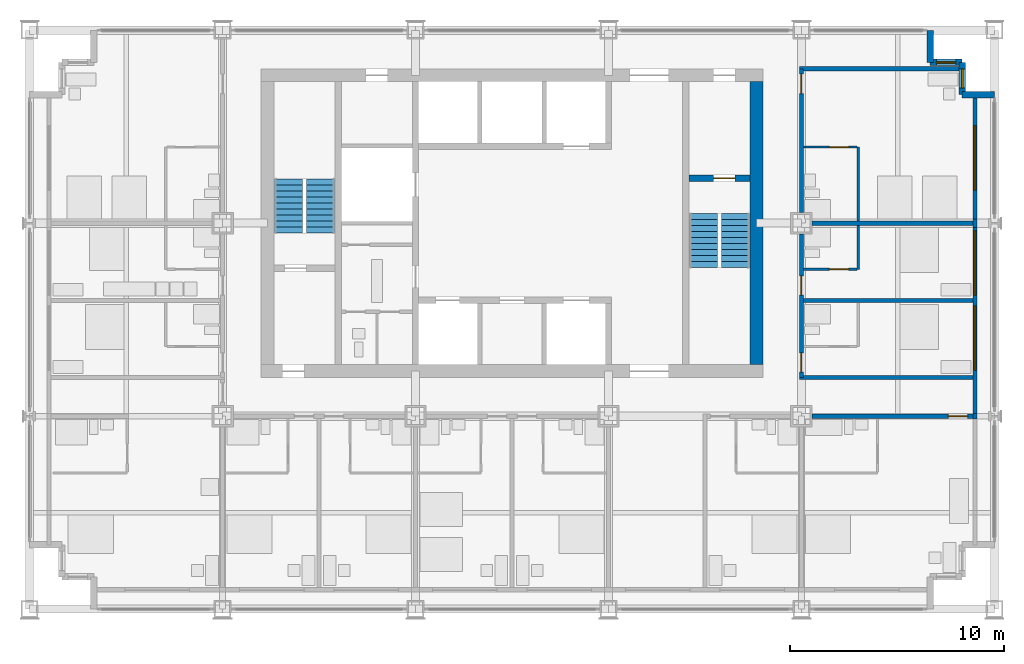
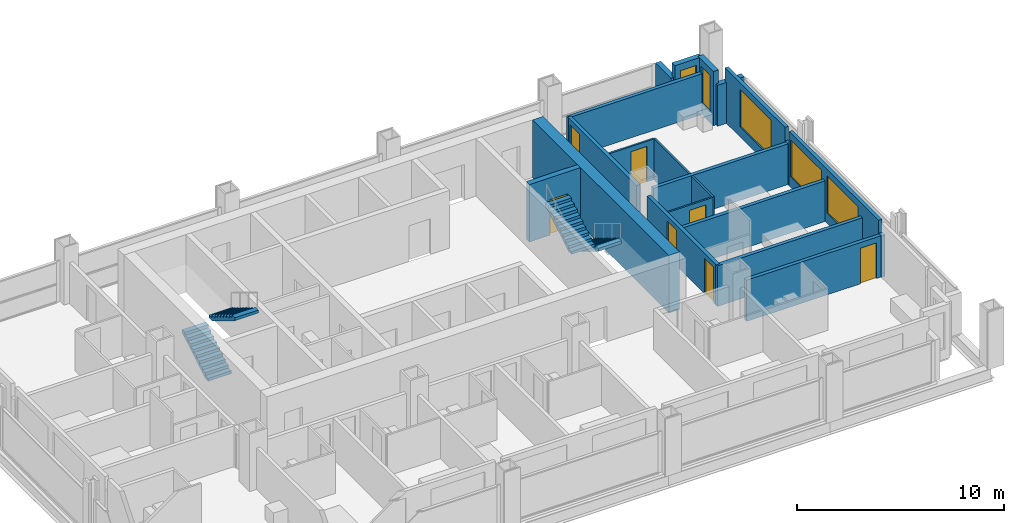
# One storey, part 10 of 13: 21 walls, 7 doors, 5 windows, 4 stair flights, 12 openings, 2 elements without a shape of their own.
"""IFC4 building model written with IfcOpenShell, lengths in metres."""

import ifcopenshell
import ifcopenshell.guid

model = None  # the IFC model being written
_history = None  # IfcOwnerHistory: only IFC2X3 demands one
_inside = {}  # id of a spatial element -> (the spatial element, [elements in it])
_under = {}  # id of a project, library or spatial element -> (it, [spatial elements below it])
_declared = {}  # id of a project -> (the project, [libraries it declares])
_typed = {}  # id of a type object -> (the type object, [elements of that type])
_made_of = {}  # id of a material, layer set ... -> (it, [elements and type objects made of it])


def new_model(schema):
    """Start an empty IFC model of exactly this schema.

    Asked for "IFC4X3", IfcOpenShell would pick the latest addendum, in which some entities
    have other attributes; the version numbers below select the first issue.
    IFC2X3 requires an IfcOwnerHistory on every rooted entity: one is made here for all.
    """
    global model, _history
    if schema == "IFC4X3":
        model = ifcopenshell.file(schema_version=(4, 3, 0, 0))
    else:
        model = ifcopenshell.file(schema=schema)
    _inside.clear()
    _under.clear()
    _declared.clear()
    _typed.clear()
    _made_of.clear()
    _history = None
    if model.schema == "IFC2X3":
        org = make("IfcOrganization", Name="unknown")
        user = make(
            "IfcPersonAndOrganization",
            ThePerson=make("IfcPerson", FamilyName="unknown"),
            TheOrganization=org,
        )
        app = make(
            "IfcApplication",
            ApplicationDeveloper=org,
            Version="unknown",
            ApplicationFullName="unknown",
            ApplicationIdentifier="unknown",
        )
        _history = make(
            "IfcOwnerHistory",
            OwningUser=user,
            OwningApplication=app,
            ChangeAction="ADDED",
            CreationDate=0,
        )
    return model


def make(cls, **values):
    """One entity of the class cls with the attributes given. An attribute that is None is left unset."""
    return model.create_entity(
        cls, **{name: value for name, value in values.items() if value is not None}
    )


def rooted(cls, **values):
    """An entity with a GlobalId (a new one), such as an element, a storey or a relation."""
    return make(cls, GlobalId=ifcopenshell.guid.new(), OwnerHistory=_history, **values)


def si_unit(unit_type, name, prefix=None):
    """IfcSIUnit, for example si_unit("LENGTHUNIT", "METRE", prefix="MILLI")."""
    return make("IfcSIUnit", UnitType=unit_type, Prefix=prefix, Name=name)


def assignment(units):
    """IfcUnitAssignment: the units of a project."""
    return None if units is None else make("IfcUnitAssignment", Units=units)


def point(xyz):
    """IfcCartesianPoint."""
    return None if xyz is None else make("IfcCartesianPoint", Coordinates=xyz)


def direction(xyz):
    """IfcDirection."""
    return None if xyz is None else make("IfcDirection", DirectionRatios=xyz)


def frame(location, z_axis=None, x_axis=None):
    """IfcAxis2Placement3D, a coordinate frame: its origin and axes. An axis left out is left unset."""
    return make(
        "IfcAxis2Placement3D",
        Location=point(location),
        Axis=direction(z_axis),
        RefDirection=direction(x_axis),
    )


def frame_2d(location, x_axis=None):
    """IfcAxis2Placement2D, a coordinate frame in the plane: its origin and x axis."""
    return make(
        "IfcAxis2Placement2D", Location=point(location), RefDirection=direction(x_axis)
    )


def origin():
    """The frame at (0, 0, 0) with its axes left unset."""
    return frame((0.0, 0.0, 0.0))


def place(relative_to, where):
    """IfcLocalPlacement: puts the frame where relative to a parent placement (None: the world)."""
    return make(
        "IfcLocalPlacement", PlacementRelTo=relative_to, RelativePlacement=where
    )


def context(
    kind, dimensions, precision=None, world=None, true_north=None, identifier=None
):
    """IfcGeometricRepresentationContext, for example the 3D "Model" context."""
    return make(
        "IfcGeometricRepresentationContext",
        ContextIdentifier=identifier,
        ContextType=kind,
        CoordinateSpaceDimension=dimensions,
        Precision=precision,
        WorldCoordinateSystem=world,
        TrueNorth=true_north,
    )


def subcontext(parent, identifier, kind, view, scale=None):
    """IfcGeometricRepresentationSubContext, for example "Body" below "Model"."""
    return make(
        "IfcGeometricRepresentationSubContext",
        ContextIdentifier=identifier,
        ContextType=kind,
        ParentContext=parent,
        TargetScale=scale,
        TargetView=view,
    )


def project(units=None, contexts=None):
    """IfcProject with its units and contexts."""
    return rooted(
        "IfcProject",
        Name="project",
        RepresentationContexts=contexts,
        UnitsInContext=assignment(units),
    )


def spatial(cls, under=None, at=None, **own):
    """A site, building, storey or space (cls), placed at a placement, below another one or the project."""
    s = rooted(cls, ObjectPlacement=at, **own)
    if under is not None:
        _under.setdefault(under.id(), (under, []))[1].append(s)
    return s


def polyline(points):
    """IfcPolyline through the points."""
    return make("IfcPolyline", Points=[point(p) for p in points])


def profile(cls, at=None, kind="AREA", **sizes):
    """A parametric profile (cls). Its sizes go by their IFC names, for example OverallWidth=200.0."""
    return make(cls, ProfileType=kind, Position=at, **sizes)


def rectangle(**sizes):
    """IfcRectangleProfileDef."""
    return profile("IfcRectangleProfileDef", **sizes)


def outline(outer, holes=None, kind="AREA"):
    """IfcArbitraryClosedProfileDef: a profile drawn as a closed curve; with holes, ...WithVoids."""
    if holes is None:
        return make("IfcArbitraryClosedProfileDef", ProfileType=kind, OuterCurve=outer)
    return make(
        "IfcArbitraryProfileDefWithVoids",
        ProfileType=kind,
        OuterCurve=outer,
        InnerCurves=holes,
    )


def extrude(swept, where, along, depth):
    """IfcExtrudedAreaSolid: the profile swept, set in the frame where, extruded along a direction by depth."""
    return make(
        "IfcExtrudedAreaSolid",
        SweptArea=swept,
        Position=where,
        ExtrudedDirection=direction(along),
        Depth=depth,
    )


def shape(context_of_items, identifier, shape_type, items):
    """IfcShapeRepresentation: the items that make up one representation, for example the "Body"."""
    return make(
        "IfcShapeRepresentation",
        ContextOfItems=context_of_items,
        RepresentationIdentifier=identifier,
        RepresentationType=shape_type,
        Items=items,
    )


def material(Name=None, Category=None):
    """IfcMaterial."""
    return make("IfcMaterial", Name=Name, Category=Category)


def layer(
    of_material, thickness, ventilated=None, Name=None, Category=None, Priority=None
):
    """IfcMaterialLayer: one layer of a wall or slab, of a material (None: an air gap)."""
    return make(
        "IfcMaterialLayer",
        Material=of_material,
        LayerThickness=thickness,
        IsVentilated=ventilated,
        Name=Name,
        Category=Category,
        Priority=Priority,
    )


def layer_set(layers, Name=None):
    """IfcMaterialLayerSet."""
    return make("IfcMaterialLayerSet", MaterialLayers=layers, LayerSetName=Name)


def made_of(thing, what):
    """Note that an element or type object is made of a material, layer set ...; save() writes the relation."""
    if what is not None:
        _made_of.setdefault(what.id(), (what, []))[1].append(thing)
    return thing


def type_object(cls, material=None, **own):
    """A type object (cls), such as IfcWallType, which elements share."""
    return made_of(rooted(cls, **own), material)


def element(
    cls,
    number,
    at=None,
    inside=None,
    cuts=None,
    type_object=None,
    material=None,
    context=None,
    identifier="Body",
    shape_type=None,
    held_by="IfcProductDefinitionShape",
    body=None,
    shapes=None,
    **own,
):
    """One element of the class cls, such as IfcWall. Its Tag is "e" and its number.

    at: its placement. inside: the storey or other place that contains it. cuts: it is an
    opening in that element (IfcRelVoidsElement). A single representation is given by context,
    identifier, shape_type and body (its items); several are given by shapes. held_by: the class
    of the entity that holds the representations. save() writes the other relations.
    """
    e = rooted(cls, Tag="e%d" % number, ObjectPlacement=at, **own)
    if body is not None:
        shapes = [shape(context, identifier, shape_type, body)]
    if shapes is not None:
        e.Representation = make(held_by, Representations=shapes)
    if inside is not None:
        _inside.setdefault(inside.id(), (inside, []))[1].append(e)
    if cuts is not None:
        rooted(
            "IfcRelVoidsElement", RelatingBuildingElement=cuts, RelatedOpeningElement=e
        )
    if type_object is not None:
        _typed.setdefault(type_object.id(), (type_object, []))[1].append(e)
    return made_of(e, material)


def fill(opening, filler):
    """IfcRelFillsElement: the door or window that sits in an opening."""
    return rooted(
        "IfcRelFillsElement",
        RelatingOpeningElement=opening,
        RelatedBuildingElement=filler,
    )


def aggregate(whole, parts):
    """IfcRelAggregates: a whole, such as a stair, and the parts it consists of."""
    return rooted("IfcRelAggregates", RelatingObject=whole, RelatedObjects=parts)


def save(model, path):
    """Write the relations noted so far, then the file.

    IfcRelAggregates (storeys below a building ...), IfcRelContainedInSpatialStructure (elements
    in a storey), IfcRelDefinesByType, IfcRelAssociatesMaterial and IfcRelDeclares: one each for
    every whole, place, type object, material and project.
    """
    for whole, parts in _under.values():
        aggregate(whole, parts)
    for where, things in _inside.values():
        rooted(
            "IfcRelContainedInSpatialStructure",
            RelatedElements=things,
            RelatingStructure=where,
        )
    for kind, things in _typed.values():
        rooted("IfcRelDefinesByType", RelatedObjects=things, RelatingType=kind)
    for what, things in _made_of.values():
        rooted("IfcRelAssociatesMaterial", RelatedObjects=things, RelatingMaterial=what)
    for by, libraries in _declared.values():
        rooted("IfcRelDeclares", RelatingContext=by, RelatedDefinitions=libraries)
    model.write(path)


model = new_model("IFC4")

# Units and contexts
model_context = context("Model", 3, precision=1e-05, world=origin(), true_north=direction((0.0, 1.0)))
body_context = subcontext(model_context, "Body", "Model", "MODEL_VIEW")
ifc_project = project(units=[si_unit("LENGTHUNIT", "METRE"), si_unit("AREAUNIT", "SQUARE_METRE"), si_unit("VOLUMEUNIT", "CUBIC_METRE"), si_unit("PLANEANGLEUNIT", "RADIAN"), si_unit("MASSUNIT", "GRAM", prefix="KILO")], contexts=[model_context])

# Site, building, storey
site_placement = place(None, origin())
site = spatial("IfcSite", under=ifc_project, at=site_placement, CompositionType="ELEMENT")
building_placement = place(site_placement, origin())
building = spatial("IfcBuilding", under=site, at=building_placement, Name="Loomwork Tower", CompositionType="ELEMENT")
storey_placement = place(building_placement, frame((0.0, 0.0, 163.800048828125)))
storey = spatial("IfcBuildingStorey", under=building, at=storey_placement, Name="L44", CompositionType="ELEMENT", Elevation=163.800048828125)

# Wall, opening, door
ifc_material_1 = material(Name="Concrete 14000 psi (97 MPa)", Category="concrete")
ifc_layer_1 = layer(ifc_material_1, 0.300048828125)
ifc_layer_set_1 = layer_set([ifc_layer_1], Name="Core shear wall 300")
wall_type_1 = type_object("IfcWallType", Name="Core shear wall 300", PredefinedType="SHEAR", material=ifc_layer_set_1)
wall_1_placement = place(storey_placement, frame((30.75, 20.10009765625, 0.0), z_axis=(0.0, 0.0, 1.0), x_axis=(1.0, 0.0, 0.0)))
wall_1 = element("IfcWall", 1, at=wall_1_placement, inside=storey, type_object=wall_type_1, Name="Stair B north wall L44", PredefinedType="SHEAR", context=body_context, shape_type="SweptSolid", body=[
    extrude(rectangle(XDim=2.85009765625, YDim=0.300048828125, at=frame_2d((1.425048828125, 0.0))), origin(), (0.0, 0.0, 1.0), 3.39990234375),
])
opening_1_placement = place(wall_1_placement, frame((1.14990234375, 0.0, 0.0)))
opening_1 = element("IfcOpeningElement", 2, at=opening_1_placement, cuts=wall_1, Name="Opening D4", PredefinedType="OPENING", context=body_context, shape_type="SweptSolid", body=[
    extrude(rectangle(XDim=1.0, YDim=2.10009765625, at=frame_2d((0.5, 1.050048828125))), frame((0.0, 0.159912109375, 0.0), z_axis=(0.0, -1.0, 0.0), x_axis=(1.0, 0.0, 0.0)), (0.0, 0.0, 1.0), 0.320068359375),
])
ifc_material_2 = material(Name="Hollow metal door and frame")
door_type_1 = type_object("IfcDoorType", Name="Stair door 1000", OperationType="SINGLE_SWING_RIGHT", PredefinedType="DOOR", material=ifc_material_2)
door_1_placement = place(opening_1_placement, frame((1.0, 0.0, 0.0), z_axis=(0.0, 0.0, 1.0), x_axis=(-1.0, 0.0, 0.0)))
door_1 = element("IfcDoor", 3, at=door_1_placement, inside=storey, type_object=door_type_1, Name="Stair B door", OperationType="SINGLE_SWING_LEFT", OverallHeight=2.10009765625, OverallWidth=1.0, PredefinedType="DOOR", context=body_context, shape_type="SweptSolid", body=[
    extrude(rectangle(XDim=1.0, YDim=2.10009765625, at=frame_2d((0.5, 1.050048828125))), frame((0.0, 0.02490234375, 0.0), z_axis=(0.0, -1.0, 0.0), x_axis=(1.0, 0.0, 0.0)), (0.0, 0.0, 1.0), 0.050048828125),
])
fill(opening_1, door_1)

# Wall
ifc_material_3 = material(Name="Concrete 14000 psi (97 MPa)", Category="concrete")
ifc_layer_2 = layer(ifc_material_3, 0.60009765625)
ifc_layer_set_2 = layer_set([ifc_layer_2], Name="Core shear wall 600")
wall_type_2 = type_object("IfcWallType", Name="Core shear wall 600", PredefinedType="SHEAR", material=ifc_layer_set_2)
wall_2_placement = place(storey_placement, frame((33.89990234375, 11.39990234375, 0.0), z_axis=(0.0, 0.0, 1.0), x_axis=(0.0, 1.0, 0.0)))
element("IfcWall", 4, at=wall_2_placement, inside=storey, type_object=wall_type_2, Name="Core wall east L44", PredefinedType="SHEAR", context=body_context, shape_type="SweptSolid", body=[
    extrude(rectangle(XDim=13.2001953125, YDim=0.60009765625, at=frame_2d((6.60009765625, 0.0))), origin(), (0.0, 0.0, 1.0), 3.39990234375),
])

# Wall, opening, door
ifc_material_4 = material(Name="Gypsum board on steel studs, one-hour", Category="steel")
ifc_layer_3 = layer(ifc_material_4, 0.199951171875)
ifc_layer_set_3 = layer_set([ifc_layer_3], Name="Corridor wall 200")
wall_type_3 = type_object("IfcWallType", Name="Corridor wall 200", PredefinedType="PARTITIONING", material=ifc_layer_set_3)
wall_3_placement = place(storey_placement, frame((36.5, 9.0, 0.0), z_axis=(0.0, 0.0, 1.0), x_axis=(1.0, 0.0, 0.0)))
wall_3 = element("IfcWall", 5, at=wall_3_placement, inside=storey, type_object=wall_type_3, Name="South corridor wall 5", PredefinedType="PARTITIONING", context=body_context, shape_type="SweptSolid", body=[
    extrude(rectangle(XDim=7.5, YDim=0.199951171875, at=frame_2d((3.75, 0.0))), origin(), (0.0, 0.0, 1.0), 2.43798828125),
])
opening_2_placement = place(wall_3_placement, frame((6.35009765625, 0.0, 0.0)))
opening_2 = element("IfcOpeningElement", 6, at=opening_2_placement, cuts=wall_3, Name="Opening D1", PredefinedType="OPENING", context=body_context, shape_type="SweptSolid", body=[
    extrude(rectangle(XDim=0.89990234375, YDim=2.10009765625, at=frame_2d((0.449951171875, 1.050048828125))), frame((0.0, 0.10986328125, 0.0), z_axis=(0.0, -1.0, 0.0), x_axis=(1.0, 0.0, 0.0)), (0.0, 0.0, 1.0), 0.219970703125),
])
ifc_material_5 = material(Name="Hollow metal door and frame")
door_type_2 = type_object("IfcDoorType", Name="Guest room entry door 900", OperationType="SINGLE_SWING_LEFT", PredefinedType="DOOR", material=ifc_material_5)
door_2_placement = place(opening_2_placement, frame((0.89990234375, 0.0, 0.0), z_axis=(0.0, 0.0, 1.0), x_axis=(-1.0, 0.0, 0.0)))
door_2 = element("IfcDoor", 7, at=door_2_placement, inside=storey, type_object=door_type_2, Name="Guest room entry door L44 7", OperationType="SINGLE_SWING_LEFT", OverallHeight=2.10009765625, OverallWidth=0.89990234375, PredefinedType="DOOR", context=body_context, shape_type="SweptSolid", body=[
    extrude(rectangle(XDim=0.89990234375, YDim=2.10009765625, at=frame_2d((0.449951171875, 1.050048828125))), frame((0.0, 0.02490234375, 0.0), z_axis=(0.0, -1.0, 0.0), x_axis=(1.0, 0.0, 0.0)), (0.0, 0.0, 1.0), 0.050048828125),
])
fill(opening_2, door_2)

# Wall, openings, doors
wall_4_placement = place(storey_placement, frame((36.0, 10.800048828125, 0.0), z_axis=(0.0, 0.0, 1.0), x_axis=(0.0, 1.0, 0.0)))
wall_4 = element("IfcWall", 8, at=wall_4_placement, inside=storey, type_object=wall_type_3, Name="East corridor wall 1", PredefinedType="PARTITIONING", context=body_context, shape_type="SweptSolid", body=[
    extrude(rectangle(XDim=6.699951171875, YDim=0.199951171875, at=frame_2d((3.35009765625, 0.0))), origin(), (0.0, 0.0, 1.0), 2.405029296875),
])
opening_3_placement = place(wall_4_placement, frame((0.25, 0.0, 0.0)))
opening_3 = element("IfcOpeningElement", 9, at=opening_3_placement, cuts=wall_4, Name="Opening D1", PredefinedType="OPENING", context=body_context, shape_type="SweptSolid", body=[
    extrude(rectangle(XDim=0.89990234375, YDim=2.10009765625, at=frame_2d((0.449951171875, 1.050048828125))), frame((0.0, 0.10986328125, 0.0), z_axis=(0.0, -1.0, 0.0), x_axis=(1.0, 0.0, 0.0)), (0.0, 0.0, 1.0), 0.219970703125),
])
opening_4_placement = place(wall_4_placement, frame((3.85009765625, 0.0, 0.0)))
opening_4 = element("IfcOpeningElement", 10, at=opening_4_placement, cuts=wall_4, Name="Opening D1", PredefinedType="OPENING", context=body_context, shape_type="SweptSolid", body=[
    extrude(rectangle(XDim=0.89990234375, YDim=2.10009765625, at=frame_2d((0.449951171875, 1.050048828125))), frame((0.0, 0.10986328125, 0.0), z_axis=(0.0, -1.0, 0.0), x_axis=(1.0, 0.0, 0.0)), (0.0, 0.0, 1.0), 0.219970703125),
])
door_3_placement = place(opening_3_placement, frame((0.89990234375, 0.0, 0.0), z_axis=(0.0, 0.0, 1.0), x_axis=(-1.0, 0.0, 0.0)))
door_3 = element("IfcDoor", 11, at=door_3_placement, inside=storey, type_object=door_type_2, Name="Guest room entry door L44 11", OperationType="SINGLE_SWING_RIGHT", OverallHeight=2.10009765625, OverallWidth=0.89990234375, PredefinedType="DOOR", context=body_context, shape_type="SweptSolid", body=[
    extrude(rectangle(XDim=0.89990234375, YDim=2.10009765625, at=frame_2d((0.449951171875, 1.050048828125))), frame((0.0, 0.02490234375, 0.0), z_axis=(0.0, -1.0, 0.0), x_axis=(1.0, 0.0, 0.0)), (0.0, 0.0, 1.0), 0.050048828125),
])
fill(opening_3, door_3)
door_4_placement = place(opening_4_placement, frame((0.89990234375, 0.0, 0.0), z_axis=(0.0, 0.0, 1.0), x_axis=(-1.0, 0.0, 0.0)))
door_4 = element("IfcDoor", 12, at=door_4_placement, inside=storey, type_object=door_type_2, Name="Guest room entry door L44 12", OperationType="SINGLE_SWING_RIGHT", OverallHeight=2.10009765625, OverallWidth=0.89990234375, PredefinedType="DOOR", context=body_context, shape_type="SweptSolid", body=[
    extrude(rectangle(XDim=0.89990234375, YDim=2.10009765625, at=frame_2d((0.449951171875, 1.050048828125))), frame((0.0, 0.02490234375, 0.0), z_axis=(0.0, -1.0, 0.0), x_axis=(1.0, 0.0, 0.0)), (0.0, 0.0, 1.0), 0.050048828125),
])
fill(opening_4, door_4)

# Wall, opening, door
wall_5_placement = place(storey_placement, frame((36.0, 18.5, 0.0), z_axis=(0.0, 0.0, 1.0), x_axis=(0.0, 1.0, 0.0)))
wall_5 = element("IfcWall", 13, at=wall_5_placement, inside=storey, type_object=wall_type_3, Name="East corridor wall 2", PredefinedType="PARTITIONING", context=body_context, shape_type="SweptSolid", body=[
    extrude(rectangle(XDim=6.699951171875, YDim=0.199951171875, at=frame_2d((3.35009765625, 0.0))), origin(), (0.0, 0.0, 1.0), 2.405029296875),
])
opening_5_placement = place(wall_5_placement, frame((5.550048828125, 0.0, 0.0)))
opening_5 = element("IfcOpeningElement", 14, at=opening_5_placement, cuts=wall_5, Name="Opening D1", PredefinedType="OPENING", context=body_context, shape_type="SweptSolid", body=[
    extrude(rectangle(XDim=0.89990234375, YDim=2.10009765625, at=frame_2d((0.449951171875, 1.050048828125))), frame((0.0, 0.10986328125, 0.0), z_axis=(0.0, -1.0, 0.0), x_axis=(1.0, 0.0, 0.0)), (0.0, 0.0, 1.0), 0.219970703125),
])
door_5_placement = place(opening_5_placement, frame((0.89990234375, 0.0, 0.0), z_axis=(0.0, 0.0, 1.0), x_axis=(-1.0, 0.0, 0.0)))
door_5 = element("IfcDoor", 15, at=door_5_placement, inside=storey, type_object=door_type_2, Name="Guest room entry door L44 13", OperationType="SINGLE_SWING_LEFT", OverallHeight=2.10009765625, OverallWidth=0.89990234375, PredefinedType="DOOR", context=body_context, shape_type="SweptSolid", body=[
    extrude(rectangle(XDim=0.89990234375, YDim=2.10009765625, at=frame_2d((0.449951171875, 1.050048828125))), frame((0.0, 0.02490234375, 0.0), z_axis=(0.0, -1.0, 0.0), x_axis=(1.0, 0.0, 0.0)), (0.0, 0.0, 1.0), 0.050048828125),
])
fill(opening_5, door_5)

# Walls
wall_6_placement = place(storey_placement, frame((35.89990234375, 10.800048828125, 0.0), z_axis=(0.0, 0.0, 1.0), x_axis=(1.0, 0.0, 0.0)))
element("IfcWall", 16, at=wall_6_placement, inside=storey, type_object=wall_type_3, Name="East band end wall S", PredefinedType="PARTITIONING", context=body_context, shape_type="SweptSolid", body=[
    extrude(rectangle(XDim=8.10009765625, YDim=0.199951171875, at=frame_2d((4.050048828125, 0.0))), origin(), (0.0, 0.0, 1.0), 2.404052734375),
])
wall_7_placement = place(storey_placement, frame((35.89990234375, 25.199951171875, 0.0), z_axis=(0.0, 0.0, 1.0), x_axis=(1.0, 0.0, 0.0)))
element("IfcWall", 17, at=wall_7_placement, inside=storey, type_object=wall_type_3, Name="East band end wall N", PredefinedType="PARTITIONING", context=body_context, shape_type="SweptSolid", body=[
    extrude(rectangle(XDim=7.4501953125, YDim=0.199951171875, at=frame_2d((3.72509765625, 0.0))), origin(), (0.0, 0.0, 1.0), 2.404052734375),
])
ifc_material_6 = material(Name="Cement board on steel studs", Category="steel")
ifc_layer_4 = layer(ifc_material_6, 0.10009765625)
ifc_layer_set_4 = layer_set([ifc_layer_4], Name="En-suite partition 100")
wall_type_4 = type_object("IfcWallType", Name="En-suite partition 100", PredefinedType="PARTITIONING", material=ifc_layer_set_4)
wall_8_placement = place(storey_placement, frame((38.64990234375, 15.85009765625, 0.0), z_axis=(0.0, 0.0, 1.0), x_axis=(0.0, 1.0, 0.0)))
element("IfcWall", 18, at=wall_8_placement, inside=storey, type_object=wall_type_4, Name="En-suite wall L44 room 12", PredefinedType="PARTITIONING", context=body_context, shape_type="SweptSolid", body=[
    extrude(rectangle(XDim=2.0498046875, YDim=0.10009765625, at=frame_2d((1.02490234375, 0.0))), origin(), (0.0, 0.0, 1.0), 2.404052734375),
])

# Wall, opening, door
wall_9_placement = place(storey_placement, frame((36.10009765625, 15.85009765625, 0.0), z_axis=(0.0, 0.0, 1.0), x_axis=(1.0, 0.0, 0.0)))
wall_9 = element("IfcWall", 19, at=wall_9_placement, inside=storey, type_object=wall_type_4, Name="En-suite side wall L44 room 12", PredefinedType="PARTITIONING", context=body_context, shape_type="SweptSolid", body=[
    extrude(rectangle(XDim=2.5, YDim=0.10009765625, at=frame_2d((1.25, 0.0))), origin(), (0.0, 0.0, 1.0), 2.404052734375),
])
opening_6_placement = place(wall_9_placement, frame((1.199951171875, 0.0, 0.0)))
opening_6 = element("IfcOpeningElement", 20, at=opening_6_placement, cuts=wall_9, Name="Opening D3", PredefinedType="OPENING", context=body_context, shape_type="SweptSolid", body=[
    extrude(rectangle(XDim=0.89990234375, YDim=2.10009765625, at=frame_2d((0.449951171875, 1.050048828125))), frame((0.0, 0.06005859375, 0.0), z_axis=(0.0, -1.0, 0.0), x_axis=(1.0, 0.0, 0.0)), (0.0, 0.0, 1.0), 0.1201171875),
])
ifc_material_7 = material(Name="Hollow metal door and frame")
door_type_3 = type_object("IfcDoorType", Name="Accessible en-suite door 900", OperationType="SLIDING_TO_LEFT", PredefinedType="DOOR", material=ifc_material_7)
door_6_placement = place(opening_6_placement, origin())
door_6 = element("IfcDoor", 21, at=door_6_placement, inside=storey, type_object=door_type_3, Name="Accessible en-suite door room 12", OperationType="SLIDING_TO_LEFT", OverallHeight=2.10009765625, OverallWidth=0.89990234375, PredefinedType="DOOR", context=body_context, shape_type="SweptSolid", body=[
    extrude(rectangle(XDim=0.89990234375, YDim=2.10009765625, at=frame_2d((0.449951171875, 1.050048828125))), frame((0.0, 0.02490234375, 0.0), z_axis=(0.0, -1.0, 0.0), x_axis=(1.0, 0.0, 0.0)), (0.0, 0.0, 1.0), 0.050048828125),
])
fill(opening_6, door_6)

# Wall
wall_10_placement = place(storey_placement, frame((38.64990234375, 18.10009765625, 0.0), z_axis=(0.0, 0.0, 1.0), x_axis=(0.0, 1.0, 0.0)))
element("IfcWall", 22, at=wall_10_placement, inside=storey, type_object=wall_type_4, Name="En-suite wall L44 room 13", PredefinedType="PARTITIONING", context=body_context, shape_type="SweptSolid", body=[
    extrude(rectangle(XDim=3.449951171875, YDim=0.10009765625, at=frame_2d((1.72509765625, 0.0))), origin(), (0.0, 0.0, 1.0), 2.404052734375),
])

# Wall, opening, door
wall_11_placement = place(storey_placement, frame((36.10009765625, 21.550048828125, 0.0), z_axis=(0.0, 0.0, 1.0), x_axis=(1.0, 0.0, 0.0)))
wall_11 = element("IfcWall", 23, at=wall_11_placement, inside=storey, type_object=wall_type_4, Name="En-suite side wall L44 room 13", PredefinedType="PARTITIONING", context=body_context, shape_type="SweptSolid", body=[
    extrude(rectangle(XDim=2.5, YDim=0.10009765625, at=frame_2d((1.25, 0.0))), origin(), (0.0, 0.0, 1.0), 2.404052734375),
])
opening_7_placement = place(wall_11_placement, frame((1.199951171875, 0.0, 0.0)))
opening_7 = element("IfcOpeningElement", 24, at=opening_7_placement, cuts=wall_11, Name="Opening D2", PredefinedType="OPENING", context=body_context, shape_type="SweptSolid", body=[
    extrude(rectangle(XDim=0.89990234375, YDim=2.10009765625, at=frame_2d((0.449951171875, 1.050048828125))), frame((0.0, 0.06005859375, 0.0), z_axis=(0.0, -1.0, 0.0), x_axis=(1.0, 0.0, 0.0)), (0.0, 0.0, 1.0), 0.1201171875),
])
ifc_material_8 = material(Name="Hollow metal door and frame")
door_type_4 = type_object("IfcDoorType", Name="En-suite door 900", OperationType="SINGLE_SWING_LEFT", PredefinedType="DOOR", material=ifc_material_8)
door_7_placement = place(opening_7_placement, frame((0.89990234375, 0.0, 0.0), z_axis=(0.0, 0.0, 1.0), x_axis=(-1.0, 0.0, 0.0)))
door_7 = element("IfcDoor", 25, at=door_7_placement, inside=storey, type_object=door_type_4, Name="En-suite door room 13", OperationType="SINGLE_SWING_LEFT", OverallHeight=2.10009765625, OverallWidth=0.89990234375, PredefinedType="DOOR", context=body_context, shape_type="SweptSolid", body=[
    extrude(rectangle(XDim=0.89990234375, YDim=2.10009765625, at=frame_2d((0.449951171875, 1.050048828125))), frame((0.0, 0.02490234375, 0.0), z_axis=(0.0, -1.0, 0.0), x_axis=(1.0, 0.0, 0.0)), (0.0, 0.0, 1.0), 0.050048828125),
])
fill(opening_7, door_7)

# Walls
ifc_material_9 = material(Name="Gypsum board on steel studs, acoustic", Category="steel")
ifc_layer_5 = layer(ifc_material_9, 0.199951171875)
ifc_layer_set_5 = layer_set([ifc_layer_5], Name="Guest room party wall 200")
wall_type_5 = type_object("IfcWallType", Name="Guest room party wall 200", PredefinedType="PARTITIONING", material=ifc_layer_set_5)
wall_12_placement = place(storey_placement, frame((36.10009765625, 14.39990234375, 0.0), z_axis=(0.0, 0.0, 1.0), x_axis=(1.0, 0.0, 0.0)))
element("IfcWall", 26, at=wall_12_placement, inside=storey, type_object=wall_type_5, Name="Guest room party wall E 14.4", PredefinedType="PARTITIONING", context=body_context, shape_type="SweptSolid", body=[
    extrude(rectangle(XDim=7.89990234375, YDim=0.199951171875, at=frame_2d((3.949951171875, 0.0))), origin(), (0.0, 0.0, 1.0), 2.404052734375),
])
wall_13_placement = place(storey_placement, frame((36.5, 18.0, 0.0), z_axis=(0.0, 0.0, 1.0), x_axis=(1.0, 0.0, 0.0)))
element("IfcWall", 27, at=wall_13_placement, inside=storey, type_object=wall_type_5, Name="Guest room party wall E 18", PredefinedType="PARTITIONING", context=body_context, shape_type="SweptSolid", body=[
    extrude(rectangle(XDim=7.5, YDim=0.199951171875, at=frame_2d((3.75, 0.0))), origin(), (0.0, 0.0, 1.0), 2.405029296875),
])
ifc_material_10 = material(Name="Insulated steel stud wall with gypsum lining", Category="steel")
ifc_layer_6 = layer(ifc_material_10, 0.199951171875)
ifc_layer_set_6 = layer_set([ifc_layer_6], Name="Inner skin wall 200")
wall_type_6 = type_object("IfcWallType", Name="Inner skin wall 200", PredefinedType="SOLIDWALL", material=ifc_layer_set_6)
wall_14_placement = place(storey_placement, frame((44.10009765625, 8.86474609375, 0.0), z_axis=(0.0, 0.0, 1.0), x_axis=(0.0, 1.0, 0.0)))
element("IfcWall", 28, at=wall_14_placement, inside=storey, type_object=wall_type_6, Name="Inner skin wall E bay 4", PredefinedType="SOLIDWALL", context=body_context, shape_type="SweptSolid", body=[
    extrude(rectangle(XDim=0.2705078125, YDim=0.199951171875, at=frame_2d((0.13525390625, 0.0))), origin(), (0.0, 0.0, 1.0), 2.43798828125),
])

# Wall, openings, windows
wall_15_placement = place(storey_placement, frame((44.10009765625, 9.13525390625, 0.0), z_axis=(0.0, 0.0, 1.0), x_axis=(0.0, 1.0, 0.0)))
wall_15 = element("IfcWall", 29, at=wall_15_placement, inside=storey, type_object=wall_type_6, Name="Inner skin wall E bay 5", PredefinedType="SOLIDWALL", context=body_context, shape_type="SweptSolid", body=[
    extrude(rectangle(XDim=8.6708984375, YDim=0.199951171875, at=frame_2d((4.33544921875, 0.0))), origin(), (0.0, 0.0, 1.0), 3.199951171875),
])
opening_8_placement = place(wall_15_placement, frame((2.0146484375, 0.0, 0.60009765625)))
opening_8 = element("IfcOpeningElement", 30, at=opening_8_placement, cuts=wall_15, Name="Opening CH1", PredefinedType="OPENING", context=body_context, shape_type="SweptSolid", body=[
    extrude(rectangle(XDim=3.0, YDim=2.199951171875, at=frame_2d((1.5, 1.10009765625))), frame((0.0, 0.10986328125, 0.0), z_axis=(0.0, -1.0, 0.0), x_axis=(1.0, 0.0, 0.0)), (0.0, 0.0, 1.0), 0.219970703125),
])
opening_9_placement = place(wall_15_placement, frame((5.5146484375, 0.0, 0.60009765625)))
opening_9 = element("IfcOpeningElement", 31, at=opening_9_placement, cuts=wall_15, Name="Opening CH1", PredefinedType="OPENING", context=body_context, shape_type="SweptSolid", body=[
    extrude(rectangle(XDim=3.0, YDim=2.199951171875, at=frame_2d((1.5, 1.10009765625))), frame((0.0, 0.10986328125, 0.0), z_axis=(0.0, -1.0, 0.0), x_axis=(1.0, 0.0, 0.0)), (0.0, 0.0, 1.0), 0.219970703125),
])
ifc_material_11 = material(Name="Aluminium frame with clear insulated glass", Category="aluminium")
window_type_1 = type_object("IfcWindowType", Name="Chicago window 3000", PartitioningType="TRIPLE_PANEL_VERTICAL", PredefinedType="WINDOW", material=ifc_material_11)
window_1_placement = place(opening_8_placement, origin())
window_1 = element("IfcWindow", 32, at=window_1_placement, inside=storey, type_object=window_type_1, Name="Chicago window L44 bay 8", OverallHeight=2.199951171875, OverallWidth=3.0, PartitioningType="TRIPLE_PANEL_VERTICAL", PredefinedType="WINDOW", context=body_context, shape_type="SweptSolid", body=[
    extrude(rectangle(XDim=3.0, YDim=2.199951171875, at=frame_2d((1.5, 1.10009765625))), frame((0.0, 0.030029296875, 0.0), z_axis=(0.0, -1.0, 0.0), x_axis=(1.0, 0.0, 0.0)), (0.0, 0.0, 1.0), 0.06005859375),
])
fill(opening_8, window_1)
window_2_placement = place(opening_9_placement, origin())
window_2 = element("IfcWindow", 33, at=window_2_placement, inside=storey, type_object=window_type_1, Name="Chicago window L44 bay 8", OverallHeight=2.199951171875, OverallWidth=3.0, PartitioningType="TRIPLE_PANEL_VERTICAL", PredefinedType="WINDOW", context=body_context, shape_type="SweptSolid", body=[
    extrude(rectangle(XDim=3.0, YDim=2.199951171875, at=frame_2d((1.5, 1.10009765625))), frame((0.0, 0.030029296875, 0.0), z_axis=(0.0, -1.0, 0.0), x_axis=(1.0, 0.0, 0.0)), (0.0, 0.0, 1.0), 0.06005859375),
])
fill(opening_9, window_2)

# Wall
wall_16_placement = place(storey_placement, frame((44.10009765625, 17.80615234375, 0.0), z_axis=(0.0, 0.0, 1.0), x_axis=(0.0, 1.0, 0.0)))
element("IfcWall", 34, at=wall_16_placement, inside=storey, type_object=wall_type_6, Name="Inner skin wall E bay 6", PredefinedType="SOLIDWALL", context=body_context, shape_type="SweptSolid", body=[
    extrude(rectangle(XDim=0.3876953125, YDim=0.199951171875, at=frame_2d((0.19384765625, 0.0))), origin(), (0.0, 0.0, 1.0), 2.404052734375),
])

# Wall, opening, window
wall_17_placement = place(storey_placement, frame((44.10009765625, 18.19384765625, 0.0), z_axis=(0.0, 0.0, 1.0), x_axis=(0.0, 1.0, 0.0)))
wall_17 = element("IfcWall", 35, at=wall_17_placement, inside=storey, type_object=wall_type_6, Name="Inner skin wall E bay 7", PredefinedType="SOLIDWALL", context=body_context, shape_type="SweptSolid", body=[
    extrude(rectangle(XDim=5.80615234375, YDim=0.199951171875, at=frame_2d((2.903076171875, 0.0))), origin(), (0.0, 0.0, 1.0), 3.199951171875),
])
opening_10_placement = place(wall_17_placement, frame((1.356201171875, 0.0, 0.60009765625)))
opening_10 = element("IfcOpeningElement", 36, at=opening_10_placement, cuts=wall_17, Name="Opening CH1", PredefinedType="OPENING", context=body_context, shape_type="SweptSolid", body=[
    extrude(rectangle(XDim=3.0, YDim=2.199951171875, at=frame_2d((1.5, 1.10009765625))), frame((0.0, 0.10986328125, 0.0), z_axis=(0.0, -1.0, 0.0), x_axis=(1.0, 0.0, 0.0)), (0.0, 0.0, 1.0), 0.219970703125),
])
window_3_placement = place(opening_10_placement, origin())
window_3 = element("IfcWindow", 37, at=window_3_placement, inside=storey, type_object=window_type_1, Name="Chicago window L44 bay 9", OverallHeight=2.199951171875, OverallWidth=3.0, PartitioningType="TRIPLE_PANEL_VERTICAL", PredefinedType="WINDOW", context=body_context, shape_type="SweptSolid", body=[
    extrude(rectangle(XDim=3.0, YDim=2.199951171875, at=frame_2d((1.5, 1.10009765625))), frame((0.0, 0.030029296875, 0.0), z_axis=(0.0, -1.0, 0.0), x_axis=(1.0, 0.0, 0.0)), (0.0, 0.0, 1.0), 0.06005859375),
])
fill(opening_10, window_3)

# Wall
ifc_material_12 = material(Name="Limestone on concrete masonry", Category="masonry")
ifc_layer_7 = layer(ifc_material_12, 0.300048828125)
ifc_layer_set_7 = layer_set([ifc_layer_7], Name="Limestone corner wall 300")
wall_type_7 = type_object("IfcWallType", Name="Limestone corner wall 300", PredefinedType="SOLIDWALL", material=ifc_layer_set_7)
wall_18_placement = place(storey_placement, frame((45.0, 24.0, 0.0), z_axis=(0.0, 0.0, 1.0), x_axis=(-1.0, 0.0, 0.0)))
element("IfcWall", 38, at=wall_18_placement, inside=storey, type_object=wall_type_7, Name="Stone corner wall NE 1", PredefinedType="SOLIDWALL", context=body_context, shape_type="SweptSolid", body=[
    extrude(rectangle(XDim=1.5, YDim=0.300048828125, at=frame_2d((0.75, 0.0))), origin(), (0.0, 0.0, 1.0), 2.419921875),
])

# Wall, opening, window
wall_19_placement = place(storey_placement, frame((43.5, 24.0, 0.0), z_axis=(0.0, 0.0, 1.0), x_axis=(0.0, 1.0, 0.0)))
wall_19 = element("IfcWall", 39, at=wall_19_placement, inside=storey, type_object=wall_type_7, Name="Stone corner wall NE 2", PredefinedType="SOLIDWALL", context=body_context, shape_type="SweptSolid", body=[
    extrude(rectangle(XDim=1.5, YDim=0.300048828125, at=frame_2d((0.75, 0.0))), origin(), (0.0, 0.0, 1.0), 3.199951171875),
])
opening_11_placement = place(wall_19_placement, frame((0.300048828125, 0.0, 0.60009765625)))
opening_11 = element("IfcOpeningElement", 40, at=opening_11_placement, cuts=wall_19, Name="Opening CH2", PredefinedType="OPENING", context=body_context, shape_type="SweptSolid", body=[
    extrude(rectangle(XDim=0.89990234375, YDim=2.199951171875, at=frame_2d((0.449951171875, 1.10009765625))), frame((0.0, 0.159912109375, 0.0), z_axis=(0.0, -1.0, 0.0), x_axis=(1.0, 0.0, 0.0)), (0.0, 0.0, 1.0), 0.320068359375),
])
ifc_material_13 = material(Name="Aluminium frame with clear insulated glass", Category="aluminium")
window_type_2 = type_object("IfcWindowType", Name="Corner window 900", PartitioningType="SINGLE_PANEL", PredefinedType="WINDOW", material=ifc_material_13)
window_4_placement = place(opening_11_placement, origin())
window_4 = element("IfcWindow", 41, at=window_4_placement, inside=storey, type_object=window_type_2, Name="Corner window NE", OverallHeight=2.199951171875, OverallWidth=0.89990234375, PartitioningType="SINGLE_PANEL", PredefinedType="WINDOW", context=body_context, shape_type="SweptSolid", body=[
    extrude(rectangle(XDim=0.89990234375, YDim=2.199951171875, at=frame_2d((0.449951171875, 1.10009765625))), frame((0.0, 0.030029296875, 0.0), z_axis=(0.0, -1.0, 0.0), x_axis=(1.0, 0.0, 0.0)), (0.0, 0.0, 1.0), 0.06005859375),
])
fill(opening_11, window_4)

wall_20_placement = place(storey_placement, frame((43.5, 25.5, 0.0), z_axis=(0.0, 0.0, 1.0), x_axis=(-1.0, 0.0, 0.0)))
wall_20 = element("IfcWall", 42, at=wall_20_placement, inside=storey, type_object=wall_type_7, Name="Stone corner wall NE 3", PredefinedType="SOLIDWALL", context=body_context, shape_type="SweptSolid", body=[
    extrude(rectangle(XDim=1.5, YDim=0.300048828125, at=frame_2d((0.75, 0.0))), origin(), (0.0, 0.0, 1.0), 3.199951171875),
])
opening_12_placement = place(wall_20_placement, frame((0.300048828125, 0.0, 0.60009765625)))
opening_12 = element("IfcOpeningElement", 43, at=opening_12_placement, cuts=wall_20, Name="Opening CH2", PredefinedType="OPENING", context=body_context, shape_type="SweptSolid", body=[
    extrude(rectangle(XDim=0.89990234375, YDim=2.199951171875, at=frame_2d((0.449951171875, 1.10009765625))), frame((0.0, 0.159912109375, 0.0), z_axis=(0.0, -1.0, 0.0), x_axis=(1.0, 0.0, 0.0)), (0.0, 0.0, 1.0), 0.320068359375),
])
window_5_placement = place(opening_12_placement, origin())
window_5 = element("IfcWindow", 44, at=window_5_placement, inside=storey, type_object=window_type_2, Name="Corner window NE", OverallHeight=2.199951171875, OverallWidth=0.89990234375, PartitioningType="SINGLE_PANEL", PredefinedType="WINDOW", context=body_context, shape_type="SweptSolid", body=[
    extrude(rectangle(XDim=0.89990234375, YDim=2.199951171875, at=frame_2d((0.449951171875, 1.10009765625))), frame((0.0, 0.030029296875, 0.0), z_axis=(0.0, -1.0, 0.0), x_axis=(1.0, 0.0, 0.0)), (0.0, 0.0, 1.0), 0.06005859375),
])
fill(opening_12, window_5)

# Wall
wall_21_placement = place(storey_placement, frame((42.0, 25.5, 0.0), z_axis=(0.0, 0.0, 1.0), x_axis=(0.0, 1.0, 0.0)))
element("IfcWall", 45, at=wall_21_placement, inside=storey, type_object=wall_type_7, Name="Stone corner wall NE 4", PredefinedType="SOLIDWALL", context=body_context, shape_type="SweptSolid", body=[
    extrude(rectangle(XDim=1.5, YDim=0.300048828125, at=frame_2d((0.75, 0.0))), origin(), (0.0, 0.0, 1.0), 2.419921875),
])

# Stair, stair flights
ifc_material_14 = material(Name="Concrete 5000 psi (34 MPa) precast stair", Category="concrete")
stair_type_1 = type_object("IfcStairType", Name="Stair ST-A 20 risers 2850 wide", PredefinedType="HALF_TURN_STAIR", material=ifc_material_14)
stair_1_placement = place(storey_placement, origin())
stair_1 = element("IfcStair", 46, at=stair_1_placement, inside=storey, type_object=stair_type_1, Name="Stair A L44", PredefinedType="HALF_TURN_STAIR")
ifc_material_15 = material(Name="Concrete 5000 psi (34 MPa) precast stair", Category="concrete")
stair_flight_type_1 = type_object("IfcStairFlightType", Name="Stair flight ST-A 10 risers 1300 wide", PredefinedType="STRAIGHT", material=ifc_material_15)
stair_flight_1_placement = place(storey_placement, frame((12.074951171875, 17.550048828125, 0.0), z_axis=(0.0, 0.0, 1.0), x_axis=(0.0, 1.0, 0.0)))
stair_flight_1 = element("IfcStairFlight", 47, at=stair_flight_1_placement, type_object=stair_flight_type_1, Name="ST-A flight 1", NumberOfRisers=10, NumberOfTreads=9, PredefinedType="STRAIGHT", RiserHeight=0.17, TreadLength=0.28, context=body_context, shape_type="SweptSolid", body=[
    extrude(outline(polyline([(0.0, 0.0), (0.0, 0.169921875), (0.280029296875, 0.169921875), (0.280029296875, 0.340087890625), (0.56005859375, 0.340087890625), (0.56005859375, 0.510009765625), (0.840087890625, 0.510009765625), (0.840087890625, 0.679931640625), (1.1201171875, 0.679931640625), (1.1201171875, 0.85009765625), (1.39990234375, 0.85009765625), (1.39990234375, 1.02001953125), (1.679931640625, 1.02001953125), (1.679931640625, 1.18994140625), (1.9599609375, 1.18994140625), (1.9599609375, 1.360107421875), (2.239990234375, 1.360107421875), (2.239990234375, 1.530029296875), (2.52001953125, 1.530029296875), (2.52001953125, 1.699951171875), (2.52001953125, 1.354736328125), (0.288818359375, 0.0), (0.0, 0.0)])), frame((0.0, 0.64990234375, 0.0), z_axis=(0.0, -1.0, 0.0), x_axis=(1.0, 0.0, 0.0)), (0.0, 0.0, 1.0), 1.300048828125),
])
stair_flight_2_placement = place(storey_placement, frame((13.574951171875, 20.070068359375, 1.699951171875), z_axis=(0.0, 0.0, 1.0), x_axis=(0.0, -1.0, 0.0)))
stair_flight_2 = element("IfcStairFlight", 48, at=stair_flight_2_placement, type_object=stair_flight_type_1, Name="ST-A flight 2", NumberOfRisers=10, NumberOfTreads=9, PredefinedType="STRAIGHT", RiserHeight=0.17, TreadLength=0.28, context=body_context, shape_type="SweptSolid", body=[
    extrude(outline(polyline([(0.0, 0.0), (0.0, 0.169921875), (0.280029296875, 0.169921875), (0.280029296875, 0.340087890625), (0.56005859375, 0.340087890625), (0.56005859375, 0.510009765625), (0.840087890625, 0.510009765625), (0.840087890625, 0.679931640625), (1.1201171875, 0.679931640625), (1.1201171875, 0.85009765625), (1.39990234375, 0.85009765625), (1.39990234375, 1.02001953125), (1.679931640625, 1.02001953125), (1.679931640625, 1.18994140625), (1.9599609375, 1.18994140625), (1.9599609375, 1.360107421875), (2.239990234375, 1.360107421875), (2.239990234375, 1.530029296875), (2.52001953125, 1.530029296875), (2.52001953125, 1.699951171875), (2.52001953125, 1.354736328125), (0.288818359375, 0.0), (0.0, 0.0)])), frame((0.0, 0.64990234375, 0.0), z_axis=(0.0, -1.0, 0.0), x_axis=(1.0, 0.0, 0.0)), (0.0, 0.0, 1.0), 1.300048828125),
])
aggregate(stair_1, [stair_flight_1, stair_flight_2])

ifc_material_16 = material(Name="Concrete 5000 psi (34 MPa) precast stair", Category="concrete")
stair_type_2 = type_object("IfcStairType", Name="Stair ST-B 20 risers 2850 wide", PredefinedType="HALF_TURN_STAIR", material=ifc_material_16)
stair_2_placement = place(storey_placement, origin())
stair_2 = element("IfcStair", 49, at=stair_2_placement, inside=storey, type_object=stair_type_2, Name="Stair B L44", PredefinedType="HALF_TURN_STAIR")
ifc_material_17 = material(Name="Concrete 5000 psi (34 MPa) precast stair", Category="concrete")
stair_flight_type_2 = type_object("IfcStairFlightType", Name="Stair flight ST-B 10 risers 1300 wide", PredefinedType="STRAIGHT", material=ifc_material_17)
stair_flight_3_placement = place(storey_placement, frame((32.925048828125, 18.449951171875, 0.0), z_axis=(0.0, 0.0, 1.0), x_axis=(0.0, -1.0, 0.0)))
stair_flight_3 = element("IfcStairFlight", 50, at=stair_flight_3_placement, type_object=stair_flight_type_2, Name="ST-B flight 1", NumberOfRisers=10, NumberOfTreads=9, PredefinedType="STRAIGHT", RiserHeight=0.17, TreadLength=0.28, context=body_context, shape_type="SweptSolid", body=[
    extrude(outline(polyline([(0.0, 0.0), (0.0, 0.169921875), (0.280029296875, 0.169921875), (0.280029296875, 0.340087890625), (0.56005859375, 0.340087890625), (0.56005859375, 0.510009765625), (0.840087890625, 0.510009765625), (0.840087890625, 0.679931640625), (1.1201171875, 0.679931640625), (1.1201171875, 0.85009765625), (1.39990234375, 0.85009765625), (1.39990234375, 1.02001953125), (1.679931640625, 1.02001953125), (1.679931640625, 1.18994140625), (1.9599609375, 1.18994140625), (1.9599609375, 1.360107421875), (2.239990234375, 1.360107421875), (2.239990234375, 1.530029296875), (2.52001953125, 1.530029296875), (2.52001953125, 1.699951171875), (2.52001953125, 1.354736328125), (0.288818359375, 0.0), (0.0, 0.0)])), frame((0.0, 0.64990234375, 0.0), z_axis=(0.0, -1.0, 0.0), x_axis=(1.0, 0.0, 0.0)), (0.0, 0.0, 1.0), 1.300048828125),
])
stair_flight_4_placement = place(storey_placement, frame((31.425048828125, 15.929931640625, 1.699951171875), z_axis=(0.0, 0.0, 1.0), x_axis=(0.0, 1.0, 0.0)))
stair_flight_4 = element("IfcStairFlight", 51, at=stair_flight_4_placement, type_object=stair_flight_type_2, Name="ST-B flight 2", NumberOfRisers=10, NumberOfTreads=9, PredefinedType="STRAIGHT", RiserHeight=0.17, TreadLength=0.28, context=body_context, shape_type="SweptSolid", body=[
    extrude(outline(polyline([(0.0, 0.0), (0.0, 0.169921875), (0.280029296875, 0.169921875), (0.280029296875, 0.340087890625), (0.56005859375, 0.340087890625), (0.56005859375, 0.510009765625), (0.840087890625, 0.510009765625), (0.840087890625, 0.679931640625), (1.1201171875, 0.679931640625), (1.1201171875, 0.85009765625), (1.39990234375, 0.85009765625), (1.39990234375, 1.02001953125), (1.679931640625, 1.02001953125), (1.679931640625, 1.18994140625), (1.9599609375, 1.18994140625), (1.9599609375, 1.360107421875), (2.239990234375, 1.360107421875), (2.239990234375, 1.530029296875), (2.52001953125, 1.530029296875), (2.52001953125, 1.699951171875), (2.52001953125, 1.354736328125), (0.288818359375, 0.0), (0.0, 0.0)])), frame((0.0, 0.64990234375, 0.0), z_axis=(0.0, -1.0, 0.0), x_axis=(1.0, 0.0, 0.0)), (0.0, 0.0, 1.0), 1.300048828125),
])
aggregate(stair_2, [stair_flight_3, stair_flight_4])

save(model, "model.ifc")
